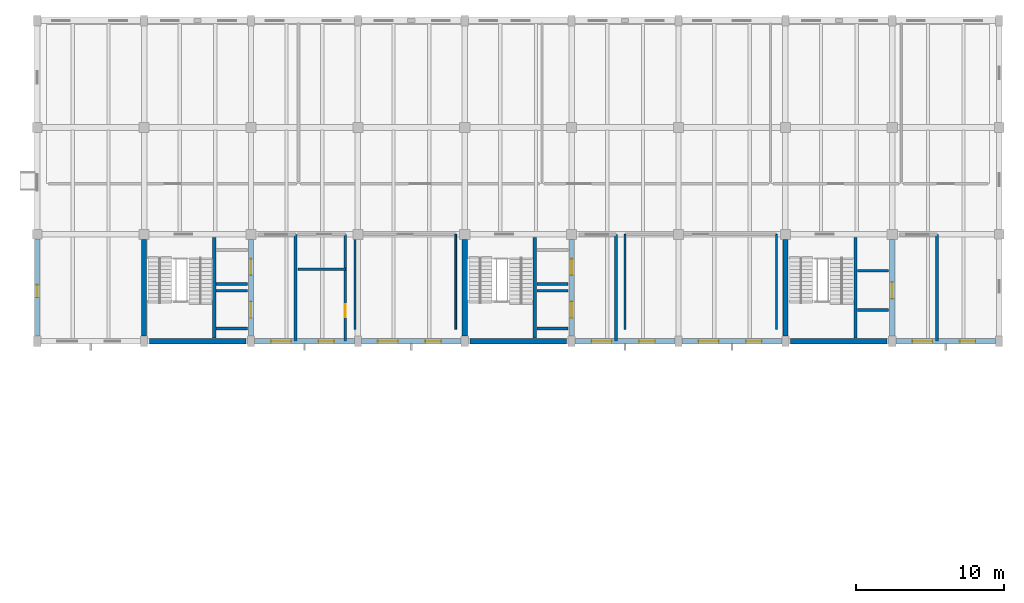
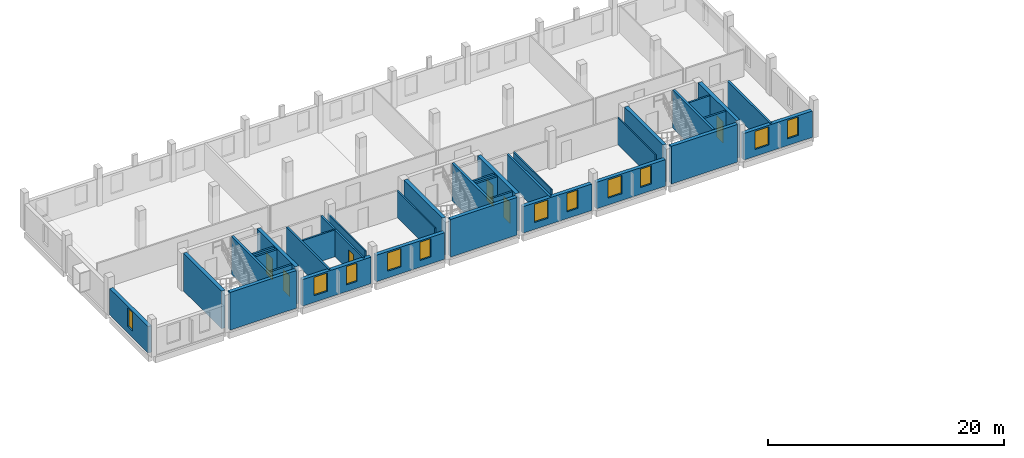
# One storey, part 6 of 11: 35 walls, 11 windows, 6 doors, 17 openings.
"""IFC4 building model written with IfcOpenShell, lengths in metres."""

from ifc_helpers import new_model, si_unit, direction, frame, frame_2d, origin, place, context, subcontext, project, spatial, rectangle, extrude, material, layer, layer_set, type_object, element, fill, save


model = new_model("IFC4")

# Units and contexts
model_context = context("Model", 3, precision=1e-05, world=origin(), true_north=direction((0.0, 1.0)))
body_context = subcontext(model_context, "Body", "Model", "MODEL_VIEW")
ifc_project = project(units=[si_unit("LENGTHUNIT", "METRE"), si_unit("AREAUNIT", "SQUARE_METRE"), si_unit("VOLUMEUNIT", "CUBIC_METRE"), si_unit("PLANEANGLEUNIT", "RADIAN"), si_unit("MASSUNIT", "GRAM", prefix="KILO")], contexts=[model_context])

# Site, building, storey
site_placement = place(None, origin())
site = spatial("IfcSite", under=ifc_project, at=site_placement, CompositionType="ELEMENT")
building_placement = place(site_placement, origin())
building = spatial("IfcBuilding", under=site, at=building_placement, Name="Qiaolan Assembly House", CompositionType="ELEMENT")
storey_placement = place(building_placement, frame((0.0, 0.0, 26.39990234375)))
storey = spatial("IfcBuildingStorey", under=building, at=storey_placement, Name="L06", CompositionType="ELEMENT", Elevation=26.39990234375)

# Wall
ifc_material_1 = material(Name="Concrete C40/50", Category="concrete")
ifc_layer_1 = layer(ifc_material_1, 0.35009765625)
ifc_layer_set_1 = layer_set([ifc_layer_1], Name="Concrete C40/50")
wall_type_1 = type_object("IfcWallType", Name="WAL-CORE-350", PredefinedType="SHEAR", material=ifc_layer_set_1)
wall_1_placement = place(storey_placement, frame((43.550048828125, 93.60009765625, 0.0), z_axis=(0.0, 0.0, 1.0), x_axis=(1.0, 0.0, 0.0)))
element("IfcWall", 1, at=wall_1_placement, inside=storey, type_object=wall_type_1, Name="CW-350 shear core wall CORE-A S L06", PredefinedType="SHEAR", context=body_context, shape_type="SweptSolid", body=[
    extrude(rectangle(XDim=6.5, YDim=0.35009765625, at=frame_2d((3.25, 0.0))), origin(), (0.0, 0.0, 1.0), 3.900146484375),
])

# Wall, openings, doors
wall_2_placement = place(storey_placement, frame((50.39990234375, 93.949951171875, 0.0), z_axis=(0.0, 0.0, 1.0), x_axis=(0.0, 1.0, 0.0)))
wall_2 = element("IfcWall", 2, at=wall_2_placement, inside=storey, type_object=wall_type_1, Name="CW-350 shear core wall CORE-A E L06", PredefinedType="SHEAR", context=body_context, shape_type="SweptSolid", body=[
    extrude(rectangle(XDim=6.5, YDim=0.35009765625, at=frame_2d((3.25, 0.0))), origin(), (0.0, 0.0, 1.0), 3.900146484375),
])
opening_1_placement = place(wall_2_placement, frame((1.22509765625, 0.0, 0.0)))
opening_1 = element("IfcOpeningElement", 3, at=opening_1_placement, cuts=wall_2, Name="Opening LD-008", PredefinedType="OPENING", context=body_context, shape_type="SweptSolid", body=[
    extrude(rectangle(XDim=1.10009765625, YDim=2.199951171875, at=frame_2d((0.550048828125, 1.10009765625))), frame((0.0, 0.18505859375, 0.0), z_axis=(0.0, -1.0, 0.0), x_axis=(1.0, 0.0, 0.0)), (0.0, 0.0, 1.0), 0.3701171875),
])
opening_2_placement = place(wall_2_placement, frame((4.10009765625, 0.0, 0.0)))
opening_2 = element("IfcOpeningElement", 4, at=opening_2_placement, cuts=wall_2, Name="Opening LD-017", PredefinedType="OPENING", context=body_context, shape_type="SweptSolid", body=[
    extrude(rectangle(XDim=1.10009765625, YDim=2.199951171875, at=frame_2d((0.550048828125, 1.10009765625))), frame((0.0, 0.18505859375, 0.0), z_axis=(0.0, -1.0, 0.0), x_axis=(1.0, 0.0, 0.0)), (0.0, 0.0, 1.0), 0.3701171875),
])
ifc_material_2 = material(Name="Anodised bronze aluminium", Category="aluminium")
door_type_1 = type_object("IfcDoorType", Name="DOR-LIFT-LD1100", OperationType="SLIDING_TO_LEFT", PredefinedType="DOOR", material=ifc_material_2)
door_1_placement = place(opening_1_placement, origin())
door_1 = element("IfcDoor", 5, at=door_1_placement, inside=storey, type_object=door_type_1, Name="Lift landing door LD-008 (LF-01 L06)", OperationType="SLIDING_TO_LEFT", OverallHeight=2.199951171875, OverallWidth=1.10009765625, PredefinedType="DOOR", context=body_context, shape_type="SweptSolid", body=[
    extrude(rectangle(XDim=1.10009765625, YDim=2.199951171875, at=frame_2d((0.550048828125, 1.10009765625))), frame((0.0, 0.02490234375, 0.0), z_axis=(0.0, -1.0, 0.0), x_axis=(1.0, 0.0, 0.0)), (0.0, 0.0, 1.0), 0.050048828125),
])
fill(opening_1, door_1)
door_2_placement = place(opening_2_placement, origin())
door_2 = element("IfcDoor", 6, at=door_2_placement, inside=storey, type_object=door_type_1, Name="Lift landing door LD-017 (LF-02 L06)", OperationType="SLIDING_TO_LEFT", OverallHeight=2.199951171875, OverallWidth=1.10009765625, PredefinedType="DOOR", context=body_context, shape_type="SweptSolid", body=[
    extrude(rectangle(XDim=1.10009765625, YDim=2.199951171875, at=frame_2d((0.550048828125, 1.10009765625))), frame((0.0, 0.02490234375, 0.0), z_axis=(0.0, -1.0, 0.0), x_axis=(1.0, 0.0, 0.0)), (0.0, 0.0, 1.0), 0.050048828125),
])
fill(opening_2, door_2)

# Walls
for number, where, z_axis, x_axis, name in (
    (7, (43.199951171875, 100.449951171875, 0.0), (0.0, 0.0, 1.0), (0.0, -1.0, 0.0), "CW-350 shear core wall CORE-A W L06"),
    (8, (65.14990234375, 93.60009765625, 0.0), (0.0, 0.0, 1.0), (1.0, 0.0, 0.0), "CW-350 shear core wall CORE-B S L06"),
):
    element("IfcWall", number, at=place(storey_placement, frame(where, z_axis=z_axis, x_axis=x_axis)), inside=storey, type_object=wall_type_1, Name=name, PredefinedType="SHEAR", context=body_context, shape_type="SweptSolid", body=[
        extrude(rectangle(XDim=6.5, YDim=0.35009765625, at=frame_2d((3.25, 0.0))), origin(), (0.0, 0.0, 1.0), 3.900146484375),
    ])

# Wall, openings, doors
wall_3_placement = place(storey_placement, frame((72.0, 93.949951171875, 0.0), z_axis=(0.0, 0.0, 1.0), x_axis=(0.0, 1.0, 0.0)))
wall_3 = element("IfcWall", 9, at=wall_3_placement, inside=storey, type_object=wall_type_1, Name="CW-350 shear core wall CORE-B E L06", PredefinedType="SHEAR", context=body_context, shape_type="SweptSolid", body=[
    extrude(rectangle(XDim=6.5, YDim=0.35009765625, at=frame_2d((3.25, 0.0))), origin(), (0.0, 0.0, 1.0), 3.900146484375),
])
opening_3_placement = place(wall_3_placement, frame((1.22509765625, 0.0, 0.0)))
opening_3 = element("IfcOpeningElement", 10, at=opening_3_placement, cuts=wall_3, Name="Opening LD-026", PredefinedType="OPENING", context=body_context, shape_type="SweptSolid", body=[
    extrude(rectangle(XDim=1.10009765625, YDim=2.199951171875, at=frame_2d((0.550048828125, 1.10009765625))), frame((0.0, 0.18505859375, 0.0), z_axis=(0.0, -1.0, 0.0), x_axis=(1.0, 0.0, 0.0)), (0.0, 0.0, 1.0), 0.3701171875),
])
opening_4_placement = place(wall_3_placement, frame((4.10009765625, 0.0, 0.0)))
opening_4 = element("IfcOpeningElement", 11, at=opening_4_placement, cuts=wall_3, Name="Opening LD-035", PredefinedType="OPENING", context=body_context, shape_type="SweptSolid", body=[
    extrude(rectangle(XDim=1.10009765625, YDim=2.199951171875, at=frame_2d((0.550048828125, 1.10009765625))), frame((0.0, 0.18505859375, 0.0), z_axis=(0.0, -1.0, 0.0), x_axis=(1.0, 0.0, 0.0)), (0.0, 0.0, 1.0), 0.3701171875),
])
door_3_placement = place(opening_3_placement, origin())
door_3 = element("IfcDoor", 12, at=door_3_placement, inside=storey, type_object=door_type_1, Name="Lift landing door LD-026 (LF-03 L06)", OperationType="SLIDING_TO_LEFT", OverallHeight=2.199951171875, OverallWidth=1.10009765625, PredefinedType="DOOR", context=body_context, shape_type="SweptSolid", body=[
    extrude(rectangle(XDim=1.10009765625, YDim=2.199951171875, at=frame_2d((0.550048828125, 1.10009765625))), frame((0.0, 0.02490234375, 0.0), z_axis=(0.0, -1.0, 0.0), x_axis=(1.0, 0.0, 0.0)), (0.0, 0.0, 1.0), 0.050048828125),
])
fill(opening_3, door_3)
door_4_placement = place(opening_4_placement, origin())
door_4 = element("IfcDoor", 13, at=door_4_placement, inside=storey, type_object=door_type_1, Name="Lift landing door LD-035 (LF-04 L06)", OperationType="SLIDING_TO_LEFT", OverallHeight=2.199951171875, OverallWidth=1.10009765625, PredefinedType="DOOR", context=body_context, shape_type="SweptSolid", body=[
    extrude(rectangle(XDim=1.10009765625, YDim=2.199951171875, at=frame_2d((0.550048828125, 1.10009765625))), frame((0.0, 0.02490234375, 0.0), z_axis=(0.0, -1.0, 0.0), x_axis=(1.0, 0.0, 0.0)), (0.0, 0.0, 1.0), 0.050048828125),
])
fill(opening_4, door_4)

# Walls
for number, where, z_axis, x_axis, name in (
    (14, (64.800048828125, 100.449951171875, 0.0), (0.0, 0.0, 1.0), (0.0, -1.0, 0.0), "CW-350 shear core wall CORE-B W L06"),
    (15, (86.75, 93.60009765625, 0.0), (0.0, 0.0, 1.0), (1.0, 0.0, 0.0), "CW-350 shear core wall CORE-G S L06"),
):
    element("IfcWall", number, at=place(storey_placement, frame(where, z_axis=z_axis, x_axis=x_axis)), inside=storey, type_object=wall_type_1, Name=name, PredefinedType="SHEAR", context=body_context, shape_type="SweptSolid", body=[
        extrude(rectangle(XDim=6.5, YDim=0.35009765625, at=frame_2d((3.25, 0.0))), origin(), (0.0, 0.0, 1.0), 3.900146484375),
    ])

# Wall, opening, door
wall_4_placement = place(storey_placement, frame((93.60009765625, 93.949951171875, 0.0), z_axis=(0.0, 0.0, 1.0), x_axis=(0.0, 1.0, 0.0)))
wall_4 = element("IfcWall", 16, at=wall_4_placement, inside=storey, type_object=wall_type_1, Name="CW-350 shear core wall CORE-G E L06", PredefinedType="SHEAR", context=body_context, shape_type="SweptSolid", body=[
    extrude(rectangle(XDim=6.5, YDim=0.35009765625, at=frame_2d((3.25, 0.0))), origin(), (0.0, 0.0, 1.0), 3.900146484375),
])
opening_5_placement = place(wall_4_placement, frame((2.52490234375, 0.0, 0.0)))
opening_5 = element("IfcOpeningElement", 17, at=opening_5_placement, cuts=wall_4, Name="Opening LD-044", PredefinedType="OPENING", context=body_context, shape_type="SweptSolid", body=[
    extrude(rectangle(XDim=1.10009765625, YDim=2.199951171875, at=frame_2d((0.550048828125, 1.10009765625))), frame((0.0, 0.18505859375, 0.0), z_axis=(0.0, -1.0, 0.0), x_axis=(1.0, 0.0, 0.0)), (0.0, 0.0, 1.0), 0.3701171875),
])
door_5_placement = place(opening_5_placement, origin())
door_5 = element("IfcDoor", 18, at=door_5_placement, inside=storey, type_object=door_type_1, Name="Lift landing door LD-044 (LF-05 L06)", OperationType="SLIDING_TO_LEFT", OverallHeight=2.199951171875, OverallWidth=1.10009765625, PredefinedType="DOOR", context=body_context, shape_type="SweptSolid", body=[
    extrude(rectangle(XDim=1.10009765625, YDim=2.199951171875, at=frame_2d((0.550048828125, 1.10009765625))), frame((0.0, 0.02490234375, 0.0), z_axis=(0.0, -1.0, 0.0), x_axis=(1.0, 0.0, 0.0)), (0.0, 0.0, 1.0), 0.050048828125),
])
fill(opening_5, door_5)

# Wall
wall_5_placement = place(storey_placement, frame((86.39990234375, 100.449951171875, 0.0), z_axis=(0.0, 0.0, 1.0), x_axis=(0.0, -1.0, 0.0)))
element("IfcWall", 19, at=wall_5_placement, inside=storey, type_object=wall_type_1, Name="CW-350 shear core wall CORE-G W L06", PredefinedType="SHEAR", context=body_context, shape_type="SweptSolid", body=[
    extrude(rectangle(XDim=6.5, YDim=0.35009765625, at=frame_2d((3.25, 0.0))), origin(), (0.0, 0.0, 1.0), 3.900146484375),
])

# Wall, openings, windows
ifc_material_3 = material(Name="Honed pale limestone", Category="masonry")
ifc_layer_2 = layer(ifc_material_3, 0.360107421875)
ifc_layer_set_2 = layer_set([ifc_layer_2], Name="Honed pale limestone")
wall_type_2 = type_object("IfcWallType", Name="WAL-EXT-LIMESTONE-360", PredefinedType="SOLIDWALL", material=ifc_layer_set_2)
wall_6_placement = place(storey_placement, frame((50.637939453125, 93.60009765625, 0.0), z_axis=(0.0, 0.0, 1.0), x_axis=(1.0, 0.0, 0.0)))
wall_6 = element("IfcWall", 20, at=wall_6_placement, inside=storey, type_object=wall_type_2, Name="EW-360 NW South court wall L06 bay 3", PredefinedType="SOLIDWALL", context=body_context, shape_type="SweptSolid", body=[
    extrude(rectangle(XDim=6.72412109375, YDim=0.360107421875, at=frame_2d((3.362060546875, 0.0))), origin(), (0.0, 0.0, 1.0), 2.739990234375),
])
opening_6_placement = place(wall_6_placement, frame((1.112060546875, 0.0, 0.699951171875)))
opening_6 = element("IfcOpeningElement", 21, at=opening_6_placement, cuts=wall_6, Name="Opening WN-208", PredefinedType="OPENING", context=body_context, shape_type="SweptSolid", body=[
    extrude(rectangle(XDim=1.35009765625, YDim=1.889892578125, at=frame_2d((0.675048828125, 0.94482421875))), frame((0.0, 0.18994140625, 0.0), z_axis=(0.0, -1.0, 0.0), x_axis=(1.0, 0.0, 0.0)), (0.0, 0.0, 1.0), 0.380126953125),
])
opening_7_placement = place(wall_6_placement, frame((4.31201171875, 0.0, 0.699951171875)))
opening_7 = element("IfcOpeningElement", 22, at=opening_7_placement, cuts=wall_6, Name="Opening WN-209", PredefinedType="OPENING", context=body_context, shape_type="SweptSolid", body=[
    extrude(rectangle(XDim=1.050048828125, YDim=1.889892578125, at=frame_2d((0.52490234375, 0.94482421875))), frame((0.0, 0.18994140625, 0.0), z_axis=(0.0, -1.0, 0.0), x_axis=(1.0, 0.0, 0.0)), (0.0, 0.0, 1.0), 0.380126953125),
])
ifc_material_4 = material(Name="Low-E double insulating glass", Category="glass")
window_type_1 = type_object("IfcWindowType", Name="WIN-COURT-1350x2150", PartitioningType="DOUBLE_PANEL_VERTICAL", PredefinedType="WINDOW", material=ifc_material_4)
window_1_placement = place(opening_6_placement, origin())
window_1 = element("IfcWindow", 23, at=window_1_placement, inside=storey, type_object=window_type_1, Name="WN-T12 court window WN-208", OverallHeight=1.889892578125, OverallWidth=1.35009765625, PartitioningType="DOUBLE_PANEL_VERTICAL", PredefinedType="WINDOW", context=body_context, shape_type="SweptSolid", body=[
    extrude(rectangle(XDim=1.35009765625, YDim=1.889892578125, at=frame_2d((0.675048828125, 0.94482421875))), frame((0.0, 0.030029296875, 0.0), z_axis=(0.0, -1.0, 0.0), x_axis=(1.0, 0.0, 0.0)), (0.0, 0.0, 1.0), 0.06005859375),
])
fill(opening_6, window_1)
window_type_2 = type_object("IfcWindowType", Name="WIN-PUNCH-1050x2150", PartitioningType="SINGLE_PANEL", PredefinedType="WINDOW", material=ifc_material_4)
window_2_placement = place(opening_7_placement, origin())
window_2 = element("IfcWindow", 24, at=window_2_placement, inside=storey, type_object=window_type_2, Name="WN-T13 court window WN-209", OverallHeight=1.889892578125, OverallWidth=1.050048828125, PartitioningType="SINGLE_PANEL", PredefinedType="WINDOW", context=body_context, shape_type="SweptSolid", body=[
    extrude(rectangle(XDim=1.050048828125, YDim=1.889892578125, at=frame_2d((0.52490234375, 0.94482421875))), frame((0.0, 0.030029296875, 0.0), z_axis=(0.0, -1.0, 0.0), x_axis=(1.0, 0.0, 0.0)), (0.0, 0.0, 1.0), 0.06005859375),
])
fill(opening_7, window_2)

wall_7_placement = place(storey_placement, frame((57.837890625, 93.60009765625, 0.0), z_axis=(0.0, 0.0, 1.0), x_axis=(1.0, 0.0, 0.0)))
wall_7 = element("IfcWall", 25, at=wall_7_placement, inside=storey, type_object=wall_type_2, Name="EW-360 NW South court wall L06 bay 4", PredefinedType="SOLIDWALL", context=body_context, shape_type="SweptSolid", body=[
    extrude(rectangle(XDim=6.72412109375, YDim=0.360107421875, at=frame_2d((3.362060546875, 0.0))), origin(), (0.0, 0.0, 1.0), 2.739990234375),
])
opening_8_placement = place(wall_7_placement, frame((1.112060546875, 0.0, 0.699951171875)))
opening_8 = element("IfcOpeningElement", 26, at=opening_8_placement, cuts=wall_7, Name="Opening WN-210", PredefinedType="OPENING", context=body_context, shape_type="SweptSolid", body=[
    extrude(rectangle(XDim=1.35009765625, YDim=1.889892578125, at=frame_2d((0.675048828125, 0.94482421875))), frame((0.0, 0.18994140625, 0.0), z_axis=(0.0, -1.0, 0.0), x_axis=(1.0, 0.0, 0.0)), (0.0, 0.0, 1.0), 0.380126953125),
])
opening_9_placement = place(wall_7_placement, frame((4.31201171875, 0.0, 0.699951171875)))
opening_9 = element("IfcOpeningElement", 27, at=opening_9_placement, cuts=wall_7, Name="Opening WN-211", PredefinedType="OPENING", context=body_context, shape_type="SweptSolid", body=[
    extrude(rectangle(XDim=1.050048828125, YDim=1.889892578125, at=frame_2d((0.52490234375, 0.94482421875))), frame((0.0, 0.18994140625, 0.0), z_axis=(0.0, -1.0, 0.0), x_axis=(1.0, 0.0, 0.0)), (0.0, 0.0, 1.0), 0.380126953125),
])
window_3_placement = place(opening_8_placement, origin())
window_3 = element("IfcWindow", 28, at=window_3_placement, inside=storey, type_object=window_type_1, Name="WN-T12 court window WN-210", OverallHeight=1.889892578125, OverallWidth=1.35009765625, PartitioningType="DOUBLE_PANEL_VERTICAL", PredefinedType="WINDOW", context=body_context, shape_type="SweptSolid", body=[
    extrude(rectangle(XDim=1.35009765625, YDim=1.889892578125, at=frame_2d((0.675048828125, 0.94482421875))), frame((0.0, 0.030029296875, 0.0), z_axis=(0.0, -1.0, 0.0), x_axis=(1.0, 0.0, 0.0)), (0.0, 0.0, 1.0), 0.06005859375),
])
fill(opening_8, window_3)
window_4_placement = place(opening_9_placement, origin())
window_4 = element("IfcWindow", 29, at=window_4_placement, inside=storey, type_object=window_type_2, Name="WN-T13 court window WN-211", OverallHeight=1.889892578125, OverallWidth=1.050048828125, PartitioningType="SINGLE_PANEL", PredefinedType="WINDOW", context=body_context, shape_type="SweptSolid", body=[
    extrude(rectangle(XDim=1.050048828125, YDim=1.889892578125, at=frame_2d((0.52490234375, 0.94482421875))), frame((0.0, 0.030029296875, 0.0), z_axis=(0.0, -1.0, 0.0), x_axis=(1.0, 0.0, 0.0)), (0.0, 0.0, 1.0), 0.06005859375),
])
fill(opening_9, window_4)

wall_8_placement = place(storey_placement, frame((72.238037109375, 93.60009765625, 0.0), z_axis=(0.0, 0.0, 1.0), x_axis=(1.0, 0.0, 0.0)))
wall_8 = element("IfcWall", 30, at=wall_8_placement, inside=storey, type_object=wall_type_2, Name="EW-360 NW South court wall L06 bay 6", PredefinedType="SOLIDWALL", context=body_context, shape_type="SweptSolid", body=[
    extrude(rectangle(XDim=6.723876953125, YDim=0.360107421875, at=frame_2d((3.36181640625, 0.0))), origin(), (0.0, 0.0, 1.0), 2.739990234375),
])
opening_10_placement = place(wall_8_placement, frame((1.112060546875, 0.0, 0.699951171875)))
opening_10 = element("IfcOpeningElement", 31, at=opening_10_placement, cuts=wall_8, Name="Opening WN-212", PredefinedType="OPENING", context=body_context, shape_type="SweptSolid", body=[
    extrude(rectangle(XDim=1.35009765625, YDim=1.889892578125, at=frame_2d((0.675048828125, 0.94482421875))), frame((0.0, 0.18994140625, 0.0), z_axis=(0.0, -1.0, 0.0), x_axis=(1.0, 0.0, 0.0)), (0.0, 0.0, 1.0), 0.380126953125),
])
opening_11_placement = place(wall_8_placement, frame((4.31201171875, 0.0, 0.699951171875)))
opening_11 = element("IfcOpeningElement", 32, at=opening_11_placement, cuts=wall_8, Name="Opening WN-213", PredefinedType="OPENING", context=body_context, shape_type="SweptSolid", body=[
    extrude(rectangle(XDim=1.050048828125, YDim=1.889892578125, at=frame_2d((0.52490234375, 0.94482421875))), frame((0.0, 0.18994140625, 0.0), z_axis=(0.0, -1.0, 0.0), x_axis=(1.0, 0.0, 0.0)), (0.0, 0.0, 1.0), 0.380126953125),
])
window_5_placement = place(opening_10_placement, origin())
window_5 = element("IfcWindow", 33, at=window_5_placement, inside=storey, type_object=window_type_1, Name="WN-T12 court window WN-212", OverallHeight=1.889892578125, OverallWidth=1.35009765625, PartitioningType="DOUBLE_PANEL_VERTICAL", PredefinedType="WINDOW", context=body_context, shape_type="SweptSolid", body=[
    extrude(rectangle(XDim=1.35009765625, YDim=1.889892578125, at=frame_2d((0.675048828125, 0.94482421875))), frame((0.0, 0.030029296875, 0.0), z_axis=(0.0, -1.0, 0.0), x_axis=(1.0, 0.0, 0.0)), (0.0, 0.0, 1.0), 0.06005859375),
])
fill(opening_10, window_5)
window_6_placement = place(opening_11_placement, origin())
window_6 = element("IfcWindow", 34, at=window_6_placement, inside=storey, type_object=window_type_2, Name="WN-T13 court window WN-213", OverallHeight=1.889892578125, OverallWidth=1.050048828125, PartitioningType="SINGLE_PANEL", PredefinedType="WINDOW", context=body_context, shape_type="SweptSolid", body=[
    extrude(rectangle(XDim=1.050048828125, YDim=1.889892578125, at=frame_2d((0.52490234375, 0.94482421875))), frame((0.0, 0.030029296875, 0.0), z_axis=(0.0, -1.0, 0.0), x_axis=(1.0, 0.0, 0.0)), (0.0, 0.0, 1.0), 0.06005859375),
])
fill(opening_11, window_6)

wall_9_placement = place(storey_placement, frame((79.43798828125, 93.60009765625, 0.0), z_axis=(0.0, 0.0, 1.0), x_axis=(1.0, 0.0, 0.0)))
wall_9 = element("IfcWall", 35, at=wall_9_placement, inside=storey, type_object=wall_type_2, Name="EW-360 NW South court wall L06 bay 7", PredefinedType="SOLIDWALL", context=body_context, shape_type="SweptSolid", body=[
    extrude(rectangle(XDim=6.72412109375, YDim=0.360107421875, at=frame_2d((3.362060546875, 0.0))), origin(), (0.0, 0.0, 1.0), 2.739990234375),
])
opening_12_placement = place(wall_9_placement, frame((1.112060546875, 0.0, 0.699951171875)))
opening_12 = element("IfcOpeningElement", 36, at=opening_12_placement, cuts=wall_9, Name="Opening WN-214", PredefinedType="OPENING", context=body_context, shape_type="SweptSolid", body=[
    extrude(rectangle(XDim=1.35009765625, YDim=1.889892578125, at=frame_2d((0.675048828125, 0.94482421875))), frame((0.0, 0.18994140625, 0.0), z_axis=(0.0, -1.0, 0.0), x_axis=(1.0, 0.0, 0.0)), (0.0, 0.0, 1.0), 0.380126953125),
])
opening_13_placement = place(wall_9_placement, frame((4.31201171875, 0.0, 0.699951171875)))
opening_13 = element("IfcOpeningElement", 37, at=opening_13_placement, cuts=wall_9, Name="Opening WN-215", PredefinedType="OPENING", context=body_context, shape_type="SweptSolid", body=[
    extrude(rectangle(XDim=1.050048828125, YDim=1.889892578125, at=frame_2d((0.52490234375, 0.94482421875))), frame((0.0, 0.18994140625, 0.0), z_axis=(0.0, -1.0, 0.0), x_axis=(1.0, 0.0, 0.0)), (0.0, 0.0, 1.0), 0.380126953125),
])
window_7_placement = place(opening_12_placement, origin())
window_7 = element("IfcWindow", 38, at=window_7_placement, inside=storey, type_object=window_type_1, Name="WN-T12 court window WN-214", OverallHeight=1.889892578125, OverallWidth=1.35009765625, PartitioningType="DOUBLE_PANEL_VERTICAL", PredefinedType="WINDOW", context=body_context, shape_type="SweptSolid", body=[
    extrude(rectangle(XDim=1.35009765625, YDim=1.889892578125, at=frame_2d((0.675048828125, 0.94482421875))), frame((0.0, 0.030029296875, 0.0), z_axis=(0.0, -1.0, 0.0), x_axis=(1.0, 0.0, 0.0)), (0.0, 0.0, 1.0), 0.06005859375),
])
fill(opening_12, window_7)
window_8_placement = place(opening_13_placement, origin())
window_8 = element("IfcWindow", 39, at=window_8_placement, inside=storey, type_object=window_type_2, Name="WN-T13 court window WN-215", OverallHeight=1.889892578125, OverallWidth=1.050048828125, PartitioningType="SINGLE_PANEL", PredefinedType="WINDOW", context=body_context, shape_type="SweptSolid", body=[
    extrude(rectangle(XDim=1.050048828125, YDim=1.889892578125, at=frame_2d((0.52490234375, 0.94482421875))), frame((0.0, 0.030029296875, 0.0), z_axis=(0.0, -1.0, 0.0), x_axis=(1.0, 0.0, 0.0)), (0.0, 0.0, 1.0), 0.06005859375),
])
fill(opening_13, window_8)

wall_10_placement = place(storey_placement, frame((93.837890625, 93.60009765625, 0.0), z_axis=(0.0, 0.0, 1.0), x_axis=(1.0, 0.0, 0.0)))
wall_10 = element("IfcWall", 40, at=wall_10_placement, inside=storey, type_object=wall_type_2, Name="EW-360 NW South court wall L06 bay 9", PredefinedType="SOLIDWALL", context=body_context, shape_type="SweptSolid", body=[
    extrude(rectangle(XDim=6.72412109375, YDim=0.360107421875, at=frame_2d((3.362060546875, 0.0))), origin(), (0.0, 0.0, 1.0), 2.739990234375),
])
opening_14_placement = place(wall_10_placement, frame((1.112060546875, 0.0, 0.699951171875)))
opening_14 = element("IfcOpeningElement", 41, at=opening_14_placement, cuts=wall_10, Name="Opening WN-216", PredefinedType="OPENING", context=body_context, shape_type="SweptSolid", body=[
    extrude(rectangle(XDim=1.35009765625, YDim=1.889892578125, at=frame_2d((0.675048828125, 0.94482421875))), frame((0.0, 0.18994140625, 0.0), z_axis=(0.0, -1.0, 0.0), x_axis=(1.0, 0.0, 0.0)), (0.0, 0.0, 1.0), 0.380126953125),
])
opening_15_placement = place(wall_10_placement, frame((4.31201171875, 0.0, 0.699951171875)))
opening_15 = element("IfcOpeningElement", 42, at=opening_15_placement, cuts=wall_10, Name="Opening WN-217", PredefinedType="OPENING", context=body_context, shape_type="SweptSolid", body=[
    extrude(rectangle(XDim=1.050048828125, YDim=1.889892578125, at=frame_2d((0.52490234375, 0.94482421875))), frame((0.0, 0.18994140625, 0.0), z_axis=(0.0, -1.0, 0.0), x_axis=(1.0, 0.0, 0.0)), (0.0, 0.0, 1.0), 0.380126953125),
])
window_9_placement = place(opening_14_placement, origin())
window_9 = element("IfcWindow", 43, at=window_9_placement, inside=storey, type_object=window_type_1, Name="WN-T12 court window WN-216", OverallHeight=1.889892578125, OverallWidth=1.35009765625, PartitioningType="DOUBLE_PANEL_VERTICAL", PredefinedType="WINDOW", context=body_context, shape_type="SweptSolid", body=[
    extrude(rectangle(XDim=1.35009765625, YDim=1.889892578125, at=frame_2d((0.675048828125, 0.94482421875))), frame((0.0, 0.030029296875, 0.0), z_axis=(0.0, -1.0, 0.0), x_axis=(1.0, 0.0, 0.0)), (0.0, 0.0, 1.0), 0.06005859375),
])
fill(opening_14, window_9)
window_10_placement = place(opening_15_placement, origin())
window_10 = element("IfcWindow", 44, at=window_10_placement, inside=storey, type_object=window_type_2, Name="WN-T13 court window WN-217", OverallHeight=1.889892578125, OverallWidth=1.050048828125, PartitioningType="SINGLE_PANEL", PredefinedType="WINDOW", context=body_context, shape_type="SweptSolid", body=[
    extrude(rectangle(XDim=1.050048828125, YDim=1.889892578125, at=frame_2d((0.52490234375, 0.94482421875))), frame((0.0, 0.030029296875, 0.0), z_axis=(0.0, -1.0, 0.0), x_axis=(1.0, 0.0, 0.0)), (0.0, 0.0, 1.0), 0.06005859375),
])
fill(opening_15, window_10)

# Wall, opening, window
wall_11_placement = place(storey_placement, frame((36.0, 93.952880859375, 0.0), z_axis=(0.0, 0.0, 1.0), x_axis=(0.0, 1.0, 0.0)))
wall_11 = element("IfcWall", 45, at=wall_11_placement, inside=storey, type_object=wall_type_2, Name="NW West avenue wall L06-1", PredefinedType="SOLIDWALL", context=body_context, shape_type="SweptSolid", body=[
    extrude(rectangle(XDim=6.524169921875, YDim=0.360107421875, at=frame_2d((3.26220703125, 0.0))), origin(), (0.0, 0.0, 1.0), 2.739990234375),
])
opening_16_placement = place(wall_11_placement, frame((2.596923828125, 0.0, 0.699951171875)))
opening_16 = element("IfcOpeningElement", 46, at=opening_16_placement, cuts=wall_11, Name="Opening WN-218", PredefinedType="OPENING", context=body_context, shape_type="SweptSolid", body=[
    extrude(rectangle(XDim=0.85009765625, YDim=1.889892578125, at=frame_2d((0.425048828125, 0.94482421875))), frame((0.0, 0.18994140625, 0.0), z_axis=(0.0, -1.0, 0.0), x_axis=(1.0, 0.0, 0.0)), (0.0, 0.0, 1.0), 0.380126953125),
])
window_type_3 = type_object("IfcWindowType", Name="WIN-END-850x2200", PartitioningType="SINGLE_PANEL", PredefinedType="WINDOW", material=ifc_material_4)
window_11_placement = place(opening_16_placement, origin())
window_11 = element("IfcWindow", 47, at=window_11_placement, inside=storey, type_object=window_type_3, Name="NW West window WN-218", OverallHeight=1.889892578125, OverallWidth=0.85009765625, PartitioningType="SINGLE_PANEL", PredefinedType="WINDOW", context=body_context, shape_type="SweptSolid", body=[
    extrude(rectangle(XDim=0.85009765625, YDim=1.889892578125, at=frame_2d((0.425048828125, 0.94482421875))), frame((0.0, 0.030029296875, 0.0), z_axis=(0.0, -1.0, 0.0), x_axis=(1.0, 0.0, 0.0)), (0.0, 0.0, 1.0), 0.06005859375),
])
fill(opening_16, window_11)

# Walls
ifc_material_5 = material(Name="Concrete C35/45", Category="concrete")
ifc_layer_3 = layer(ifc_material_5, 0.199951171875)
ifc_layer_set_3 = layer_set([ifc_layer_3], Name="Concrete C35/45")
wall_type_3 = type_object("IfcWallType", Name="WAL-LOBBY-200", PredefinedType="PARTITIONING", material=ifc_layer_set_3)
for number, where, z_axis, x_axis, name in (
    (48, (53.39990234375, 93.60009765625, 0.0), (0.0, 0.0, 1.0), (0.0, 1.0, 0.0), "Firefighting lift lobby east wall CORE-A L06"),
    (49, (75.0, 93.60009765625, 0.0), (0.0, 0.0, 1.0), (0.0, 1.0, 0.0), "Firefighting lift lobby east wall CORE-B L06"),
    (50, (96.60009765625, 93.60009765625, 0.0), (0.0, 0.0, 1.0), (0.0, 1.0, 0.0), "Firefighting lift lobby east wall CORE-G L06"),
):
    element("IfcWall", number, at=place(storey_placement, frame(where, z_axis=z_axis, x_axis=x_axis)), inside=storey, type_object=wall_type_3, Name=name, PredefinedType="PARTITIONING", context=body_context, shape_type="SweptSolid", body=[
        extrude(rectangle(XDim=7.199951171875, YDim=0.199951171875, at=frame_2d((3.60009765625, 0.0))), origin(), (0.0, 0.0, 1.0), 2.780029296875),
    ])
ifc_material_6 = material(Name="Gypsum plasterboard partition")
ifc_layer_4 = layer(ifc_material_6, 0.1201171875)
ifc_layer_set_4 = layer_set([ifc_layer_4], Name="Gypsum plasterboard partition")
wall_type_4 = type_object("IfcWallType", Name="WAL-PART-120", PredefinedType="PARTITIONING", material=ifc_layer_set_4)
for number, where, z_axis, x_axis, name in (
    (51, (57.39990234375, 94.39990234375, 0.0), (0.0, 0.0, 1.0), (0.0, 1.0, 0.0), "Executive Secretariat Research Room west wall"),
    (52, (64.199951171875, 100.800048828125, 0.0), (0.0, 0.0, 1.0), (0.0, -1.0, 0.0), "Executive Secretariat Research Room east wall"),
    (53, (75.60009765625, 94.39990234375, 0.0), (0.0, 0.0, 1.0), (0.0, 1.0, 0.0), "Protocol Translation Cabin Suite west wall"),
    (54, (85.800048828125, 100.800048828125, 0.0), (0.0, 0.0, 1.0), (0.0, -1.0, 0.0), "Protocol Translation Cabin Suite east wall"),
):
    element("IfcWall", number, at=place(storey_placement, frame(where, z_axis=z_axis, x_axis=x_axis)), inside=storey, type_object=wall_type_4, Name=name, PredefinedType="PARTITIONING", context=body_context, shape_type="SweptSolid", body=[
        extrude(rectangle(XDim=6.400146484375, YDim=0.1201171875, at=frame_2d((3.2001953125, 0.0))), origin(), (0.0, 0.0, 1.0), 2.780029296875),
    ])
ifc_layer_5 = layer(ifc_material_5, 0.18505859375)
ifc_layer_set_5 = layer_set([ifc_layer_5], Name="Concrete C35/45")
wall_type_5 = type_object("IfcWallType", Name="WAL-SHAFT-200", PredefinedType="PARTITIONING", material=ifc_layer_set_5)
for number, where, z_axis, x_axis, name in (
    (55, (48.050048828125, 94.449951171875, 0.0), (0.0, 0.0, 1.0), (1.0, 0.0, 0.0), "SW-200 lift shaft wall LF-01 L06 DIVS"),
    (56, (48.050048828125, 97.0, 0.0), (0.0, 0.0, 1.0), (1.0, 0.0, 0.0), "SW-200 lift shaft wall LF-01 L06 DIVN"),
    (57, (48.050048828125, 97.449951171875, 0.0), (0.0, 0.0, 1.0), (1.0, 0.0, 0.0), "SW-200 lift shaft wall LF-02 L06 DIVS"),
):
    element("IfcWall", number, at=place(storey_placement, frame(where, z_axis=z_axis, x_axis=x_axis)), inside=storey, type_object=wall_type_5, Name=name, PredefinedType="PARTITIONING", context=body_context, shape_type="SweptSolid", body=[
        extrude(rectangle(XDim=2.099853515625, YDim=0.18505859375, at=frame_2d((1.0498046875, 0.0))), origin(), (0.0, 0.0, 1.0), 3.900146484375),
    ])
for number, where, z_axis, x_axis, name in (
    (58, (69.64990234375, 94.449951171875, 0.0), (0.0, 0.0, 1.0), (1.0, 0.0, 0.0), "SW-200 lift shaft wall LF-03 L06 DIVS"),
    (59, (69.64990234375, 97.0, 0.0), (0.0, 0.0, 1.0), (1.0, 0.0, 0.0), "SW-200 lift shaft wall LF-03 L06 DIVN"),
    (60, (69.64990234375, 97.449951171875, 0.0), (0.0, 0.0, 1.0), (1.0, 0.0, 0.0), "SW-200 lift shaft wall LF-04 L06 DIVS"),
    (61, (91.25, 95.699951171875, 0.0), (0.0, 0.0, 1.0), (1.0, 0.0, 0.0), "SW-200 lift shaft wall LF-05 L06 DIVS"),
    (62, (91.25, 98.35009765625, 0.0), (0.0, 0.0, 1.0), (1.0, 0.0, 0.0), "SW-200 lift shaft wall LF-05 L06 DIVN"),
):
    element("IfcWall", number, at=place(storey_placement, frame(where, z_axis=z_axis, x_axis=x_axis)), inside=storey, type_object=wall_type_5, Name=name, PredefinedType="PARTITIONING", context=body_context, shape_type="SweptSolid", body=[
        extrude(rectangle(XDim=2.10009765625, YDim=0.18505859375, at=frame_2d((1.050048828125, 0.0))), origin(), (0.0, 0.0, 1.0), 3.900146484375),
    ])
ifc_layer_6 = layer(ifc_material_1, 0.22509765625)
ifc_layer_set_6 = layer_set([ifc_layer_6], Name="Concrete C40/50")
wall_type_6 = type_object("IfcWallType", Name="WAL-STAIR-DIV-225", PredefinedType="SHEAR", material=ifc_layer_set_6)
for number, where, z_axis, x_axis, name in (
    (63, (47.919921875, 93.820068359375, 0.0), (0.0, 0.0, 1.0), (0.0, 1.0, 0.0), "SDW-225 stairwell structural spine wall CORE-A L06"),
    (64, (69.52001953125, 93.820068359375, 0.0), (0.0, 0.0, 1.0), (0.0, 1.0, 0.0), "SDW-225 stairwell structural spine wall CORE-B L06"),
    (65, (91.1201171875, 93.820068359375, 0.0), (0.0, 0.0, 1.0), (0.0, 1.0, 0.0), "SDW-225 stairwell structural spine wall CORE-G L06"),
):
    element("IfcWall", number, at=place(storey_placement, frame(where, z_axis=z_axis, x_axis=x_axis)), inside=storey, type_object=wall_type_6, Name=name, PredefinedType="SHEAR", context=body_context, shape_type="SweptSolid", body=[
        extrude(rectangle(XDim=6.760009765625, YDim=0.22509765625, at=frame_2d((3.3798828125, 0.0))), origin(), (0.0, 0.0, 1.0), 3.900146484375),
    ])

# Wall, opening, door
ifc_material_7 = material(Name="Concrete C30/37", Category="concrete")
ifc_layer_7 = layer(ifc_material_7, 0.1650390625)
ifc_layer_set_7 = layer_set([ifc_layer_7], Name="Concrete C30/37")
wall_type_7 = type_object("IfcWallType", Name="WAL-WET-150", PredefinedType="PARTITIONING", material=ifc_layer_set_7)
wall_12_placement = place(storey_placement, frame((56.75, 93.60009765625, 0.0), z_axis=(0.0, 0.0, 1.0), x_axis=(0.0, 1.0, 0.0)))
wall_12 = element("IfcWall", 66, at=wall_12_placement, inside=storey, type_object=wall_type_7, Name="Public WC east wall CORE-A L06", PredefinedType="PARTITIONING", context=body_context, shape_type="SweptSolid", body=[
    extrude(rectangle(XDim=7.199951171875, YDim=0.1650390625, at=frame_2d((3.60009765625, 0.0))), origin(), (0.0, 0.0, 1.0), 2.780029296875),
])
opening_17_placement = place(wall_12_placement, frame((1.60009765625, 0.0, 0.0)))
opening_17 = element("IfcOpeningElement", 67, at=opening_17_placement, cuts=wall_12, Name="Opening WD-029", PredefinedType="OPENING", context=body_context, shape_type="SweptSolid", body=[
    extrude(rectangle(XDim=0.89990234375, YDim=2.14990234375, at=frame_2d((0.449951171875, 1.074951171875))), frame((0.0, 0.092529296875, 0.0), z_axis=(0.0, -1.0, 0.0), x_axis=(1.0, 0.0, 0.0)), (0.0, 0.0, 1.0), 0.18505859375),
])
ifc_material_8 = material(Name="Acoustic oak panelling")
door_type_2 = type_object("IfcDoorType", Name="DOR-WC-900", OperationType="NOTDEFINED", PredefinedType="DOOR", material=ifc_material_8)
door_6_placement = place(opening_17_placement, origin())
door_6 = element("IfcDoor", 68, at=door_6_placement, inside=storey, type_object=door_type_2, Name="Public Restroom door WD-029", OperationType="SINGLE_SWING_RIGHT", OverallHeight=2.14990234375, OverallWidth=0.89990234375, PredefinedType="DOOR", context=body_context, shape_type="SweptSolid", body=[
    extrude(rectangle(XDim=0.89990234375, YDim=2.14990234375, at=frame_2d((0.449951171875, 1.074951171875))), frame((0.0, 0.02490234375, 0.0), z_axis=(0.0, -1.0, 0.0), x_axis=(1.0, 0.0, 0.0)), (0.0, 0.0, 1.0), 0.050048828125),
])
fill(opening_17, door_6)

# Wall
wall_13_placement = place(storey_placement, frame((53.550048828125, 98.449951171875, 0.0), z_axis=(0.0, 0.0, 1.0), x_axis=(1.0, 0.0, 0.0)))
element("IfcWall", 69, at=wall_13_placement, inside=storey, type_object=wall_type_7, Name="WC divider wall CORE-A L06", PredefinedType="PARTITIONING", context=body_context, shape_type="SweptSolid", body=[
    extrude(rectangle(XDim=3.199951171875, YDim=0.1650390625, at=frame_2d((1.60009765625, 0.0))), origin(), (0.0, 0.0, 1.0), 2.780029296875),
])

save(model, "model.ifc")
